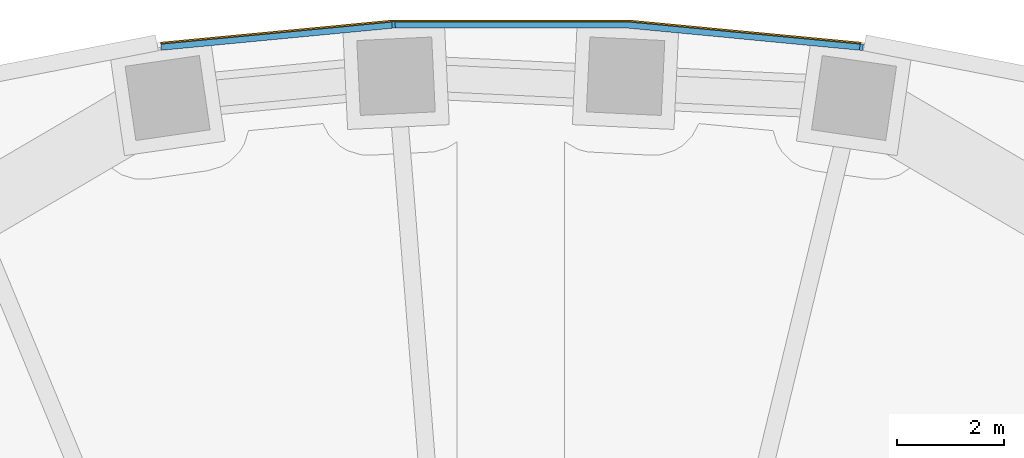
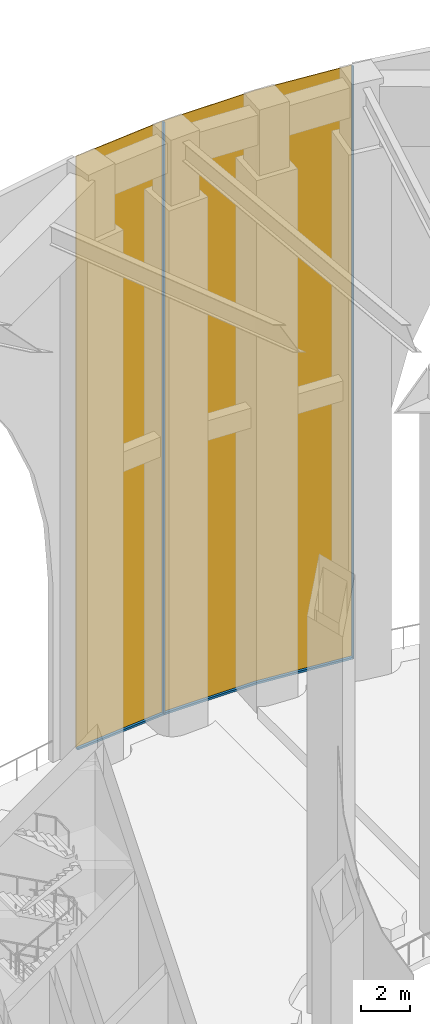
# One storey, part 12 of 26: 4 members, 1 curtain wall.
"""IFC4 building model written with IfcOpenShell, lengths in metres."""

from ifc_helpers import new_model, si_unit, direction, frame, origin, origin_2d, place, context, subcontext, project, spatial, polyline, rectangle, outline, extrude, material, layer, layer_set, material_profile, profile_set, type_object, element, aggregate, save


model = new_model("IFC4")

# Units and contexts
model_context = context("Model", 3, precision=1e-05, world=origin(), true_north=direction((0.0, 1.0)))
body_context = subcontext(model_context, "Body", "Model", "MODEL_VIEW")
ifc_project = project(units=[si_unit("LENGTHUNIT", "METRE"), si_unit("AREAUNIT", "SQUARE_METRE"), si_unit("VOLUMEUNIT", "CUBIC_METRE"), si_unit("PLANEANGLEUNIT", "RADIAN"), si_unit("MASSUNIT", "GRAM", prefix="KILO")], contexts=[model_context])

# Member
ifc_material_1 = material(Name="Aluminium 6063-T6 black anodised", Category="aluminium")
ifc_material_profile = material_profile(ifc_material_1, rectangle(XDim=0.1201171875, YDim=0.06005859375, at=origin_2d()), Name="120x60")
ifc_profile_set = profile_set([ifc_material_profile], Name="Aluminium 6063-T6 black anodised")
member_type_1 = type_object("IfcMemberType", Name="ENV-MULLION-A-120", PredefinedType="MULLION", material=ifc_profile_set)
site_placement = place(None, origin())
building_placement = place(site_placement, origin())
storey_placement = place(building_placement, frame((0.0, 0.0, 203.5)))
member_1_placement = place(storey_placement, frame((6.54638671875, 27.440185546875, 0.0), z_axis=(0.0, 0.0, 1.0), x_axis=(-0.143082012705, -0.989710835366, 0.0)))
member_1 = element("IfcMember", 1, at=member_1_placement, type_object=member_type_1, Name="Mullion A radial 11", PredefinedType="MULLION", context=body_context, shape_type="SweptSolid", body=[
    extrude(rectangle(XDim=0.1201171875, YDim=0.06005859375, at=origin_2d()), origin(), (0.0, 0.0, 1.0), 29.699951171875),
])

member_2_placement = place(storey_placement, frame((-2.188720703125, 27.856201171875, 0.0), z_axis=(0.0, 0.0, 1.0), x_axis=(0.047557873581, -0.998868484166, 0.0)))
member_2 = element("IfcMember", 2, at=member_2_placement, type_object=member_type_1, Name="Mullion A radial 13", PredefinedType="MULLION", context=body_context, shape_type="SweptSolid", body=[
    extrude(rectangle(XDim=0.1201171875, YDim=0.06005859375, at=origin_2d()), origin(), (0.0, 0.0, 1.0), 29.699951171875),
])

ifc_material_2 = material(Name="Aluminium 6063-T6 black anodised", Category="aluminium")
member_type_2 = type_object("IfcMemberType", Name="ENV-TRANSOM-A", PredefinedType="USERDEFINED", material=ifc_material_2)
member_3_placement = place(storey_placement, origin())
member_3 = element("IfcMember", 3, at=member_3_placement, type_object=member_type_2, Name="Transom A radial 11-13", ObjectType="TRANSOM", PredefinedType="USERDEFINED", context=body_context, shape_type="SweptSolid", body=[
    extrude(outline(polyline([(6.527099609375, 27.502197265625), (2.191650390625, 27.916015625), (-2.163818359375, 27.916015625), (-2.157958984375, 27.7958984375), (2.185791015625, 27.7958984375), (6.510009765625, 27.38330078125), (6.527099609375, 27.502197265625)])), origin(), (0.0, 0.0, 1.0), 0.10009765625),
])

member_4_placement = place(storey_placement, origin())
member_4 = element("IfcMember", 4, at=member_4_placement, type_object=member_type_2, Name="Transom A radial 13-14", ObjectType="TRANSOM", PredefinedType="USERDEFINED", context=body_context, shape_type="SweptSolid", body=[
    extrude(outline(polyline([(-2.219482421875, 27.913330078125), (-6.53515625, 27.50146484375), (-6.51806640625, 27.382568359375), (-2.2138671875, 27.793212890625), (-2.219482421875, 27.913330078125)])), origin(), (0.0, 0.0, 1.0), 0.10009765625),
])

# Site, building, storey
site = spatial("IfcSite", under=ifc_project, at=site_placement, CompositionType="ELEMENT")
building = spatial("IfcBuilding", under=site, at=building_placement, Name="Noorbagh Ring Tower", CompositionType="ELEMENT")
storey = spatial("IfcBuildingStorey", under=building, at=storey_placement, Name="L47", CompositionType="ELEMENT", Elevation=203.5)

# Curtain wall
ifc_material_3 = material(Name="Glass dark tinted laminated", Category="glass")
ifc_layer = layer(ifc_material_3, 0.031982421875)
ifc_layer_set = layer_set([ifc_layer], Name="Glass dark tinted laminated")
curtain_wall_type = type_object("IfcCurtainWallType", Name="ENV-CW-A", PredefinedType="NOTDEFINED", material=ifc_layer_set)
curtain_wall_placement = place(storey_placement, origin())
curtain_wall = element("IfcCurtainWall", 5, at=curtain_wall_placement, inside=storey, type_object=curtain_wall_type, Name="Curtain wall A R11", PredefinedType="NOTDEFINED", context=body_context, shape_type="SweptSolid", body=[
    extrude(outline(polyline([(6.539794921875, 27.533203125), (2.193115234375, 27.947998046875), (-2.193115234375, 27.947998046875), (-6.539794921875, 27.533203125), (-6.53515625, 27.50146484375), (-2.191650390625, 27.916015625), (2.191650390625, 27.916015625), (6.53515625, 27.50146484375), (6.539794921875, 27.533203125)])), origin(), (0.0, 0.0, 1.0), 29.699951171875),
])

aggregate(curtain_wall, [member_1, member_2, member_3, member_4])

save(model, "model.ifc")
